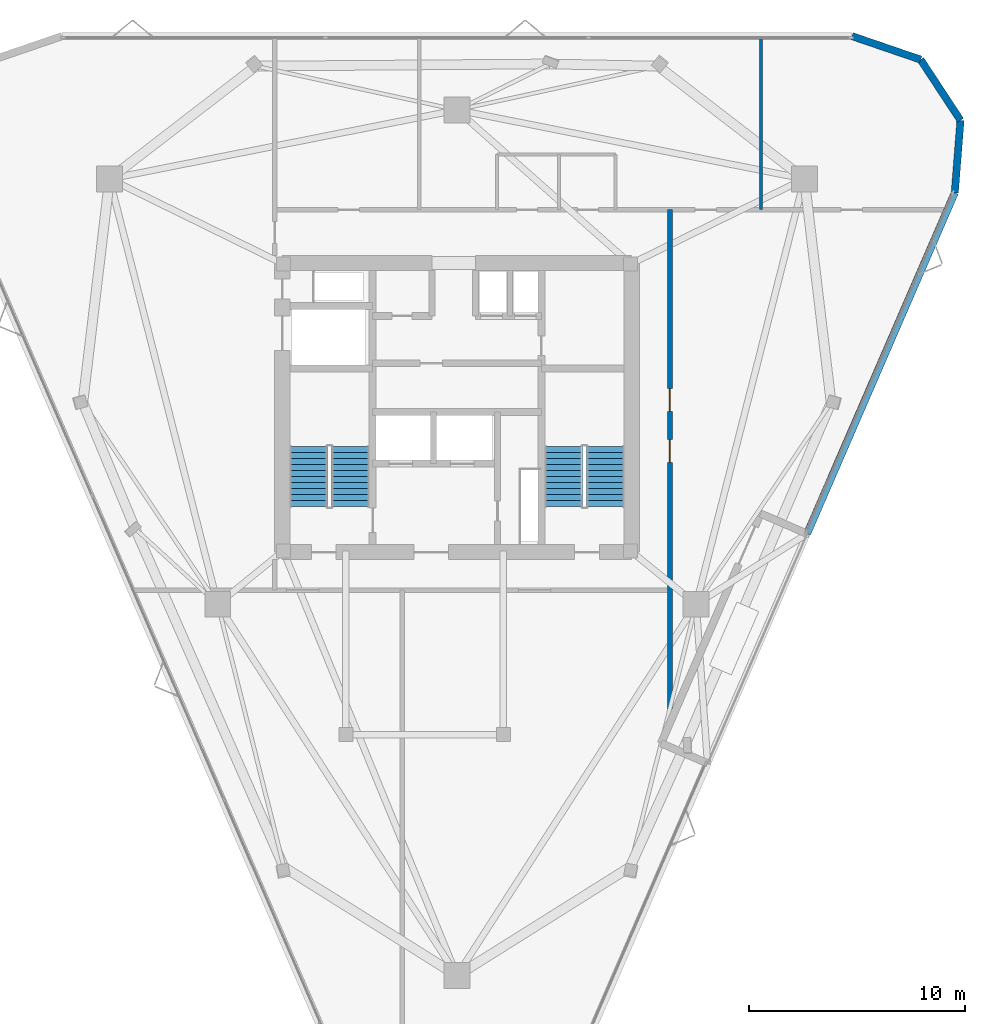
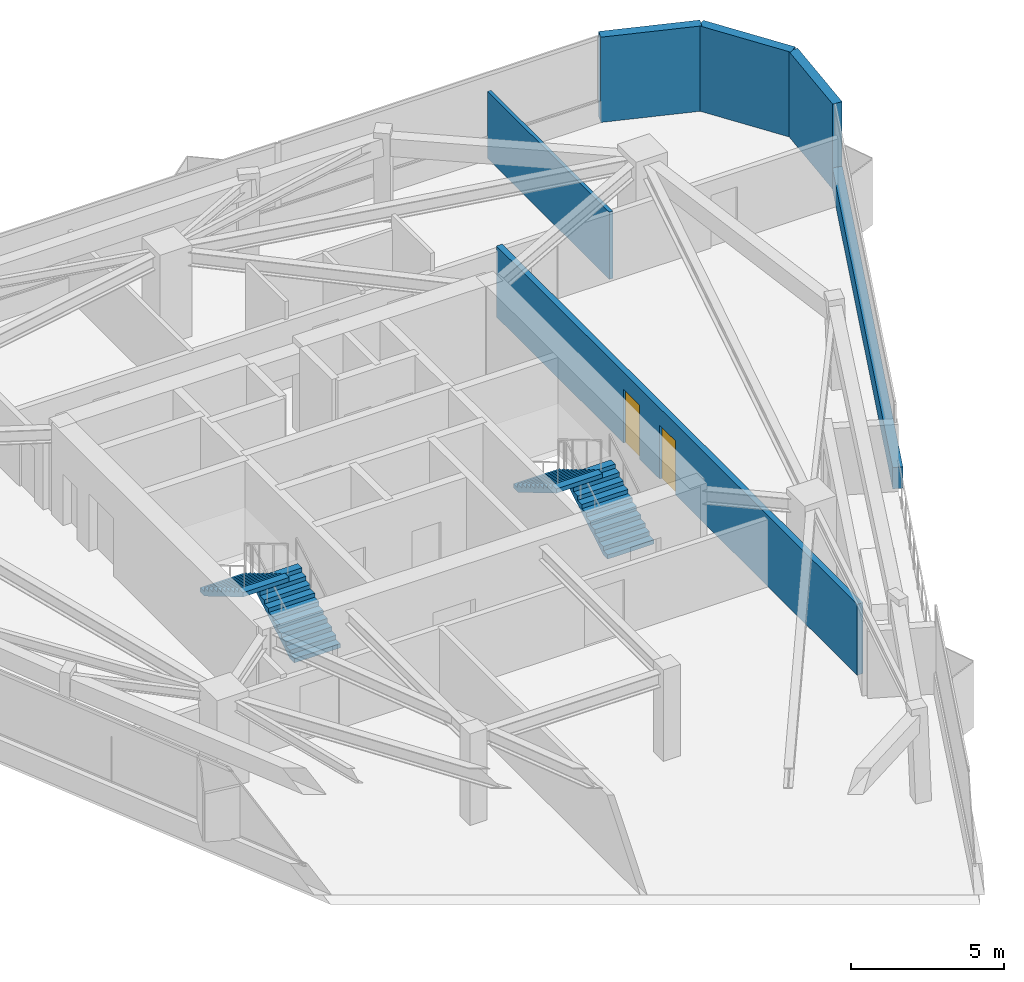
# One storey, part 9 of 10: 6 walls, 4 stair flights, 2 doors, 2 openings, 2 elements without a shape of their own.
"""IFC4 building model written with IfcOpenShell, lengths in metres."""

import ifcopenshell
import ifcopenshell.guid

model = None  # the IFC model being written
_history = None  # IfcOwnerHistory: only IFC2X3 demands one
_inside = {}  # id of a spatial element -> (the spatial element, [elements in it])
_under = {}  # id of a project, library or spatial element -> (it, [spatial elements below it])
_declared = {}  # id of a project -> (the project, [libraries it declares])
_typed = {}  # id of a type object -> (the type object, [elements of that type])
_made_of = {}  # id of a material, layer set ... -> (it, [elements and type objects made of it])


def new_model(schema):
    """Start an empty IFC model of exactly this schema.

    Asked for "IFC4X3", IfcOpenShell would pick the latest addendum, in which some entities
    have other attributes; the version numbers below select the first issue.
    IFC2X3 requires an IfcOwnerHistory on every rooted entity: one is made here for all.
    """
    global model, _history
    if schema == "IFC4X3":
        model = ifcopenshell.file(schema_version=(4, 3, 0, 0))
    else:
        model = ifcopenshell.file(schema=schema)
    _inside.clear()
    _under.clear()
    _declared.clear()
    _typed.clear()
    _made_of.clear()
    _history = None
    if model.schema == "IFC2X3":
        org = make("IfcOrganization", Name="unknown")
        user = make(
            "IfcPersonAndOrganization",
            ThePerson=make("IfcPerson", FamilyName="unknown"),
            TheOrganization=org,
        )
        app = make(
            "IfcApplication",
            ApplicationDeveloper=org,
            Version="unknown",
            ApplicationFullName="unknown",
            ApplicationIdentifier="unknown",
        )
        _history = make(
            "IfcOwnerHistory",
            OwningUser=user,
            OwningApplication=app,
            ChangeAction="ADDED",
            CreationDate=0,
        )
    return model


def make(cls, **values):
    """One entity of the class cls with the attributes given. An attribute that is None is left unset."""
    return model.create_entity(
        cls, **{name: value for name, value in values.items() if value is not None}
    )


def rooted(cls, **values):
    """An entity with a GlobalId (a new one), such as an element, a storey or a relation."""
    return make(cls, GlobalId=ifcopenshell.guid.new(), OwnerHistory=_history, **values)


def si_unit(unit_type, name, prefix=None):
    """IfcSIUnit, for example si_unit("LENGTHUNIT", "METRE", prefix="MILLI")."""
    return make("IfcSIUnit", UnitType=unit_type, Prefix=prefix, Name=name)


def assignment(units):
    """IfcUnitAssignment: the units of a project."""
    return None if units is None else make("IfcUnitAssignment", Units=units)


def point(xyz):
    """IfcCartesianPoint."""
    return None if xyz is None else make("IfcCartesianPoint", Coordinates=xyz)


def direction(xyz):
    """IfcDirection."""
    return None if xyz is None else make("IfcDirection", DirectionRatios=xyz)


def frame(location, z_axis=None, x_axis=None):
    """IfcAxis2Placement3D, a coordinate frame: its origin and axes. An axis left out is left unset."""
    return make(
        "IfcAxis2Placement3D",
        Location=point(location),
        Axis=direction(z_axis),
        RefDirection=direction(x_axis),
    )


def frame_2d(location, x_axis=None):
    """IfcAxis2Placement2D, a coordinate frame in the plane: its origin and x axis."""
    return make(
        "IfcAxis2Placement2D", Location=point(location), RefDirection=direction(x_axis)
    )


def origin():
    """The frame at (0, 0, 0) with its axes left unset."""
    return frame((0.0, 0.0, 0.0))


def place(relative_to, where):
    """IfcLocalPlacement: puts the frame where relative to a parent placement (None: the world)."""
    return make(
        "IfcLocalPlacement", PlacementRelTo=relative_to, RelativePlacement=where
    )


def context(
    kind, dimensions, precision=None, world=None, true_north=None, identifier=None
):
    """IfcGeometricRepresentationContext, for example the 3D "Model" context."""
    return make(
        "IfcGeometricRepresentationContext",
        ContextIdentifier=identifier,
        ContextType=kind,
        CoordinateSpaceDimension=dimensions,
        Precision=precision,
        WorldCoordinateSystem=world,
        TrueNorth=true_north,
    )


def subcontext(parent, identifier, kind, view, scale=None):
    """IfcGeometricRepresentationSubContext, for example "Body" below "Model"."""
    return make(
        "IfcGeometricRepresentationSubContext",
        ContextIdentifier=identifier,
        ContextType=kind,
        ParentContext=parent,
        TargetScale=scale,
        TargetView=view,
    )


def project(units=None, contexts=None):
    """IfcProject with its units and contexts."""
    return rooted(
        "IfcProject",
        Name="project",
        RepresentationContexts=contexts,
        UnitsInContext=assignment(units),
    )


def spatial(cls, under=None, at=None, **own):
    """A site, building, storey or space (cls), placed at a placement, below another one or the project."""
    s = rooted(cls, ObjectPlacement=at, **own)
    if under is not None:
        _under.setdefault(under.id(), (under, []))[1].append(s)
    return s


def polyline(points):
    """IfcPolyline through the points."""
    return make("IfcPolyline", Points=[point(p) for p in points])


def profile(cls, at=None, kind="AREA", **sizes):
    """A parametric profile (cls). Its sizes go by their IFC names, for example OverallWidth=200.0."""
    return make(cls, ProfileType=kind, Position=at, **sizes)


def rectangle(**sizes):
    """IfcRectangleProfileDef."""
    return profile("IfcRectangleProfileDef", **sizes)


def outline(outer, holes=None, kind="AREA"):
    """IfcArbitraryClosedProfileDef: a profile drawn as a closed curve; with holes, ...WithVoids."""
    if holes is None:
        return make("IfcArbitraryClosedProfileDef", ProfileType=kind, OuterCurve=outer)
    return make(
        "IfcArbitraryProfileDefWithVoids",
        ProfileType=kind,
        OuterCurve=outer,
        InnerCurves=holes,
    )


def extrude(swept, where, along, depth):
    """IfcExtrudedAreaSolid: the profile swept, set in the frame where, extruded along a direction by depth."""
    return make(
        "IfcExtrudedAreaSolid",
        SweptArea=swept,
        Position=where,
        ExtrudedDirection=direction(along),
        Depth=depth,
    )


def shape(context_of_items, identifier, shape_type, items):
    """IfcShapeRepresentation: the items that make up one representation, for example the "Body"."""
    return make(
        "IfcShapeRepresentation",
        ContextOfItems=context_of_items,
        RepresentationIdentifier=identifier,
        RepresentationType=shape_type,
        Items=items,
    )


def material(Name=None, Category=None):
    """IfcMaterial."""
    return make("IfcMaterial", Name=Name, Category=Category)


def layer(
    of_material, thickness, ventilated=None, Name=None, Category=None, Priority=None
):
    """IfcMaterialLayer: one layer of a wall or slab, of a material (None: an air gap)."""
    return make(
        "IfcMaterialLayer",
        Material=of_material,
        LayerThickness=thickness,
        IsVentilated=ventilated,
        Name=Name,
        Category=Category,
        Priority=Priority,
    )


def layer_set(layers, Name=None):
    """IfcMaterialLayerSet."""
    return make("IfcMaterialLayerSet", MaterialLayers=layers, LayerSetName=Name)


def made_of(thing, what):
    """Note that an element or type object is made of a material, layer set ...; save() writes the relation."""
    if what is not None:
        _made_of.setdefault(what.id(), (what, []))[1].append(thing)
    return thing


def type_object(cls, material=None, **own):
    """A type object (cls), such as IfcWallType, which elements share."""
    return made_of(rooted(cls, **own), material)


def element(
    cls,
    number,
    at=None,
    inside=None,
    cuts=None,
    type_object=None,
    material=None,
    context=None,
    identifier="Body",
    shape_type=None,
    held_by="IfcProductDefinitionShape",
    body=None,
    shapes=None,
    **own,
):
    """One element of the class cls, such as IfcWall. Its Tag is "e" and its number.

    at: its placement. inside: the storey or other place that contains it. cuts: it is an
    opening in that element (IfcRelVoidsElement). A single representation is given by context,
    identifier, shape_type and body (its items); several are given by shapes. held_by: the class
    of the entity that holds the representations. save() writes the other relations.
    """
    e = rooted(cls, Tag="e%d" % number, ObjectPlacement=at, **own)
    if body is not None:
        shapes = [shape(context, identifier, shape_type, body)]
    if shapes is not None:
        e.Representation = make(held_by, Representations=shapes)
    if inside is not None:
        _inside.setdefault(inside.id(), (inside, []))[1].append(e)
    if cuts is not None:
        rooted(
            "IfcRelVoidsElement", RelatingBuildingElement=cuts, RelatedOpeningElement=e
        )
    if type_object is not None:
        _typed.setdefault(type_object.id(), (type_object, []))[1].append(e)
    return made_of(e, material)


def fill(opening, filler):
    """IfcRelFillsElement: the door or window that sits in an opening."""
    return rooted(
        "IfcRelFillsElement",
        RelatingOpeningElement=opening,
        RelatedBuildingElement=filler,
    )


def aggregate(whole, parts):
    """IfcRelAggregates: a whole, such as a stair, and the parts it consists of."""
    return rooted("IfcRelAggregates", RelatingObject=whole, RelatedObjects=parts)


def save(model, path):
    """Write the relations noted so far, then the file.

    IfcRelAggregates (storeys below a building ...), IfcRelContainedInSpatialStructure (elements
    in a storey), IfcRelDefinesByType, IfcRelAssociatesMaterial and IfcRelDeclares: one each for
    every whole, place, type object, material and project.
    """
    for whole, parts in _under.values():
        aggregate(whole, parts)
    for where, things in _inside.values():
        rooted(
            "IfcRelContainedInSpatialStructure",
            RelatedElements=things,
            RelatingStructure=where,
        )
    for kind, things in _typed.values():
        rooted("IfcRelDefinesByType", RelatedObjects=things, RelatingType=kind)
    for what, things in _made_of.values():
        rooted("IfcRelAssociatesMaterial", RelatedObjects=things, RelatingMaterial=what)
    for by, libraries in _declared.values():
        rooted("IfcRelDeclares", RelatingContext=by, RelatedDefinitions=libraries)
    model.write(path)


model = new_model("IFC4")

# Units and contexts
model_context = context("Model", 3, precision=1e-05, world=origin(), true_north=direction((0.0, 1.0)))
body_context = subcontext(model_context, "Body", "Model", "MODEL_VIEW")
ifc_project = project(units=[si_unit("LENGTHUNIT", "METRE"), si_unit("AREAUNIT", "SQUARE_METRE"), si_unit("VOLUMEUNIT", "CUBIC_METRE"), si_unit("PLANEANGLEUNIT", "RADIAN"), si_unit("MASSUNIT", "GRAM", prefix="KILO")], contexts=[model_context])

# Site, building, storey
site_placement = place(None, origin())
site = spatial("IfcSite", under=ifc_project, at=site_placement, CompositionType="ELEMENT")
building_placement = place(site_placement, origin())
building = spatial("IfcBuilding", under=site, at=building_placement, Name="Talyreon Biosciences Tower", CompositionType="ELEMENT")
storey_placement = place(building_placement, frame((0.0, 0.0, 253.5)))
storey = spatial("IfcBuildingStorey", under=building, at=storey_placement, Name="L67", CompositionType="ELEMENT", Elevation=253.5)

# Wall, openings, doors
ifc_material_1 = material(Name="Gypsum fireboard acoustic stud", Category="gypsum")
ifc_layer_1 = layer(ifc_material_1, 0.219970703125)
ifc_layer_set_1 = layer_set([ifc_layer_1], Name="Gypsum fireboard acoustic stud")
wall_type_1 = type_object("IfcWallType", Name="CorridorRatedPartition_220", PredefinedType="PARTITIONING", material=ifc_layer_set_1)
wall_1_placement = place(storey_placement, frame((75.8701171875, 53.595458984375, 0.0), z_axis=(0.0, 0.0, 1.0), x_axis=(0.0, 1.0, 0.0)))
wall_1 = element("IfcWall", 1, at=wall_1_placement, inside=storey, type_object=wall_type_1, Name="L67 Interior Wall IW-L67-COR-E", PredefinedType="PARTITIONING", context=body_context, shape_type="SweptSolid", body=[
    extrude(rectangle(XDim=23.574462890625, YDim=0.219970703125, at=frame_2d((11.787109375, 0.0))), origin(), (0.0, 0.0, 1.0), 2.830078125),
])
opening_1_placement = place(wall_1_placement, frame((14.22998046875, 0.0, 0.0)))
opening_1 = element("IfcOpeningElement", 2, at=opening_1_placement, cuts=wall_1, Name="Opening DR-L67-E1A", PredefinedType="OPENING", context=body_context, shape_type="SweptSolid", body=[
    extrude(rectangle(XDim=1.050048828125, YDim=2.14990234375, at=frame_2d((0.52490234375, 1.074951171875))), frame((0.0, 0.119873046875, 0.0), z_axis=(0.0, -1.0, 0.0), x_axis=(1.0, 0.0, 0.0)), (0.0, 0.0, 1.0), 0.239990234375),
])
opening_2_placement = place(wall_1_placement, frame((11.866943359375, 0.0, 0.0)))
opening_2 = element("IfcOpeningElement", 3, at=opening_2_placement, cuts=wall_1, Name="Opening DR-L67-E1B", PredefinedType="OPENING", context=body_context, shape_type="SweptSolid", body=[
    extrude(rectangle(XDim=1.050048828125, YDim=2.14990234375, at=frame_2d((0.52490234375, 1.074951171875))), frame((0.0, 0.119873046875, 0.0), z_axis=(0.0, -1.0, 0.0), x_axis=(1.0, 0.0, 0.0)), (0.0, 0.0, 1.0), 0.239990234375),
])
ifc_material_2 = material(Name="Acoustic timber-core laboratory door", Category="wood")
door_type = type_object("IfcDoorType", Name="DryLabSingleDoor_1050x2150", OperationType="NOTDEFINED", PredefinedType="DOOR", material=ifc_material_2)
door_1_placement = place(opening_1_placement, origin())
door_1 = element("IfcDoor", 4, at=door_1_placement, inside=storey, type_object=door_type, Name="L67 Interior Door DR-L67-E1A", OperationType="SINGLE_SWING_LEFT", OverallHeight=2.14990234375, OverallWidth=1.050048828125, PredefinedType="DOOR", context=body_context, shape_type="SweptSolid", body=[
    extrude(rectangle(XDim=1.050048828125, YDim=2.14990234375, at=frame_2d((0.52490234375, 1.074951171875))), frame((0.0, 0.02490234375, 0.0), z_axis=(0.0, -1.0, 0.0), x_axis=(1.0, 0.0, 0.0)), (0.0, 0.0, 1.0), 0.050048828125),
])
fill(opening_1, door_1)
door_2_placement = place(opening_2_placement, origin())
door_2 = element("IfcDoor", 5, at=door_2_placement, inside=storey, type_object=door_type, Name="L67 Interior Door DR-L67-E1B", OperationType="SINGLE_SWING_RIGHT", OverallHeight=2.14990234375, OverallWidth=1.050048828125, PredefinedType="DOOR", context=body_context, shape_type="SweptSolid", body=[
    extrude(rectangle(XDim=1.050048828125, YDim=2.14990234375, at=frame_2d((0.52490234375, 1.074951171875))), frame((0.0, 0.02490234375, 0.0), z_axis=(0.0, -1.0, 0.0), x_axis=(1.0, 0.0, 0.0)), (0.0, 0.0, 1.0), 0.050048828125),
])
fill(opening_2, door_2)

# Walls
ifc_material_3 = material(Name="Gypsum acoustic stud partition", Category="gypsum")
ifc_layer_2 = layer(ifc_material_3, 0.1298828125)
ifc_layer_set_2 = layer_set([ifc_layer_2], Name="Gypsum acoustic stud partition")
wall_type_2 = type_object("IfcWallType", Name="OfficeWriteupPartition_130", PredefinedType="PARTITIONING", material=ifc_layer_set_2)
wall_2_placement = place(storey_placement, frame((80.0859375, 77.169921875, 0.0), z_axis=(0.0, 0.0, 1.0), x_axis=(0.0, 1.0, 0.0)))
element("IfcWall", 6, at=wall_2_placement, inside=storey, type_object=wall_type_2, Name="L67 Interior Wall IW-L67-NDIV2", PredefinedType="PARTITIONING", context=body_context, shape_type="SweptSolid", body=[
    extrude(rectangle(XDim=7.962890625, YDim=0.1298828125, at=frame_2d((3.9814453125, 0.0))), origin(), (0.0, 0.0, 1.0), 2.679931640625),
])
ifc_material_4 = material(Name="Precast concrete C45/55", Category="concrete")
ifc_layer_3 = layer(ifc_material_4, 0.340087890625)
ifc_layer_set_3 = layer_set([ifc_layer_3], Name="Precast concrete C45/55")
wall_type_3 = type_object("IfcWallType", Name="PrecastConcreteSpandrelWall_340", PredefinedType="STANDARD", material=ifc_layer_set_3)
wall_3_placement = place(storey_placement, frame((84.3037109375, 85.2177734375, 0.0), z_axis=(0.0, 0.0, 1.0), x_axis=(0.946072263845, -0.323955662989, 0.0)))
element("IfcWall", 7, at=wall_3_placement, inside=storey, type_object=wall_type_3, Name="L67 Rounded-Corner Concrete Pier 04", PredefinedType="STANDARD", context=body_context, shape_type="SweptSolid", body=[
    extrude(rectangle(XDim=3.369384765625, YDim=0.340087890625, at=frame_2d((1.6845703125, 0.0))), origin(), (0.0, 0.0, 1.0), 3.39990234375),
])
wall_4_placement = place(storey_placement, frame((87.491455078125, 84.126220703125, 0.0), z_axis=(0.0, 0.0, 1.0), x_axis=(0.548851092281, -0.835920138831, 0.0)))
element("IfcWall", 8, at=wall_4_placement, inside=storey, type_object=wall_type_3, Name="L67 Rounded-Corner Concrete Pier 05", PredefinedType="STANDARD", context=body_context, shape_type="SweptSolid", body=[
    extrude(rectangle(XDim=3.36962890625, YDim=0.340087890625, at=frame_2d((1.684814453125, 0.0))), origin(), (0.0, 0.0, 1.0), 3.39990234375),
])
wall_5_placement = place(storey_placement, frame((89.3408203125, 81.3095703125, 0.0), z_axis=(0.0, 0.0, 1.0), x_axis=(-0.078835134627, -0.996887667467, 0.0)))
element("IfcWall", 9, at=wall_5_placement, inside=storey, type_object=wall_type_3, Name="L67 Rounded-Corner Concrete Pier 06", PredefinedType="STANDARD", context=body_context, shape_type="SweptSolid", body=[
    extrude(rectangle(XDim=3.369384765625, YDim=0.340087890625, at=frame_2d((1.6845703125, 0.0))), origin(), (0.0, 0.0, 1.0), 3.39990234375),
])
wall_6_placement = place(storey_placement, frame((89.0751953125, 77.95068359375, 0.0), z_axis=(0.0, 0.0, 1.0), x_axis=(-0.397531449249, -0.917588549873, 0.0)))
element("IfcWall", 10, at=wall_6_placement, inside=storey, type_object=wall_type_3, Name="L67 Expressed Concrete Sill Wall 07", PredefinedType="STANDARD", context=body_context, shape_type="SweptSolid", body=[
    extrude(rectangle(XDim=17.2216796875, YDim=0.340087890625, at=frame_2d((8.61083984375, 0.0))), origin(), (0.0, 0.0, 1.0), 0.85009765625),
])

# Stair, stair flights
ifc_material_5 = material(Name="Concrete C40/50", Category="concrete")
stair_type = type_object("IfcStairType", Name="DoglegEscapeStair_3650", PredefinedType="HALF_TURN_STAIR", material=ifc_material_5)
stair_1_placement = place(storey_placement, origin())
stair_1 = element("IfcStair", 11, at=stair_1_placement, inside=storey, type_object=stair_type, Name="L67 Core Escape Stair 1", PredefinedType="HALF_TURN_STAIR")
stair_flight_type = type_object("IfcStairFlightType", Name="PrecastStairFlight_3650", PredefinedType="STRAIGHT", material=ifc_material_5)
stair_flight_1_placement = place(storey_placement, frame((61.06005859375, 63.39990234375, 0.0), z_axis=(0.0, 0.0, 1.0), x_axis=(0.0, 1.0, 0.0)))
stair_flight_1 = element("IfcStairFlight", 12, at=stair_flight_1_placement, type_object=stair_flight_type, Name="ST-1 flight 1", NumberOfRisers=11, NumberOfTreads=10, PredefinedType="STRAIGHT", RiserHeight=0.165909091, TreadLength=0.28, context=body_context, shape_type="SweptSolid", body=[
    extrude(outline(polyline([(0.0, 0.0), (0.0, 0.166015625), (0.280029296875, 0.166015625), (0.280029296875, 0.331787109375), (0.56005859375, 0.331787109375), (0.56005859375, 0.497802734375), (0.840087890625, 0.497802734375), (0.840087890625, 0.66357421875), (1.1201171875, 0.66357421875), (1.1201171875, 0.82958984375), (1.39990234375, 0.82958984375), (1.39990234375, 0.995361328125), (1.679931640625, 0.995361328125), (1.679931640625, 1.161376953125), (1.9599609375, 1.161376953125), (1.9599609375, 1.327392578125), (2.239990234375, 1.327392578125), (2.239990234375, 1.4931640625), (2.52001953125, 1.4931640625), (2.52001953125, 1.6591796875), (2.800048828125, 1.6591796875), (2.800048828125, 1.824951171875), (2.800048828125, 1.48486328125), (0.2939453125, 0.0), (0.0, 0.0)])), frame((0.0, 0.8701171875, 0.0), z_axis=(0.0, -1.0, 0.0), x_axis=(1.0, 0.0, 0.0)), (0.0, 0.0, 1.0), 1.739990234375),
])
stair_flight_2_placement = place(storey_placement, frame((59.1201171875, 66.199951171875, 1.824951171875), z_axis=(0.0, 0.0, 1.0), x_axis=(0.0, -1.0, 0.0)))
stair_flight_2 = element("IfcStairFlight", 13, at=stair_flight_2_placement, type_object=stair_flight_type, Name="ST-1 flight 2", NumberOfRisers=11, NumberOfTreads=10, PredefinedType="STRAIGHT", RiserHeight=0.165909091, TreadLength=0.28, context=body_context, shape_type="SweptSolid", body=[
    extrude(outline(polyline([(0.0, 0.0), (0.0, 0.166015625), (0.280029296875, 0.166015625), (0.280029296875, 0.331787109375), (0.56005859375, 0.331787109375), (0.56005859375, 0.497802734375), (0.840087890625, 0.497802734375), (0.840087890625, 0.66357421875), (1.1201171875, 0.66357421875), (1.1201171875, 0.82958984375), (1.39990234375, 0.82958984375), (1.39990234375, 0.995361328125), (1.679931640625, 0.995361328125), (1.679931640625, 1.161376953125), (1.9599609375, 1.161376953125), (1.9599609375, 1.327392578125), (2.239990234375, 1.327392578125), (2.239990234375, 1.4931640625), (2.52001953125, 1.4931640625), (2.52001953125, 1.6591796875), (2.800048828125, 1.6591796875), (2.800048828125, 1.824951171875), (2.800048828125, 1.48486328125), (0.2939453125, 0.0), (0.0, 0.0)])), frame((0.0, 0.8701171875, 0.0), z_axis=(0.0, -1.0, 0.0), x_axis=(1.0, 0.0, 0.0)), (0.0, 0.0, 1.0), 1.739990234375),
])
aggregate(stair_1, [stair_flight_1, stair_flight_2])

stair_2_placement = place(storey_placement, origin())
stair_2 = element("IfcStair", 14, at=stair_2_placement, inside=storey, type_object=stair_type, Name="L67 Core Escape Stair 2", PredefinedType="HALF_TURN_STAIR")
stair_flight_3_placement = place(storey_placement, frame((72.8798828125, 63.39990234375, 0.0), z_axis=(0.0, 0.0, 1.0), x_axis=(0.0, 1.0, 0.0)))
stair_flight_3 = element("IfcStairFlight", 15, at=stair_flight_3_placement, type_object=stair_flight_type, Name="ST-2 flight 1", NumberOfRisers=11, NumberOfTreads=10, PredefinedType="STRAIGHT", RiserHeight=0.165909091, TreadLength=0.28, context=body_context, shape_type="SweptSolid", body=[
    extrude(outline(polyline([(0.0, 0.0), (0.0, 0.166015625), (0.280029296875, 0.166015625), (0.280029296875, 0.331787109375), (0.56005859375, 0.331787109375), (0.56005859375, 0.497802734375), (0.840087890625, 0.497802734375), (0.840087890625, 0.66357421875), (1.1201171875, 0.66357421875), (1.1201171875, 0.82958984375), (1.39990234375, 0.82958984375), (1.39990234375, 0.995361328125), (1.679931640625, 0.995361328125), (1.679931640625, 1.161376953125), (1.9599609375, 1.161376953125), (1.9599609375, 1.327392578125), (2.239990234375, 1.327392578125), (2.239990234375, 1.4931640625), (2.52001953125, 1.4931640625), (2.52001953125, 1.6591796875), (2.800048828125, 1.6591796875), (2.800048828125, 1.824951171875), (2.800048828125, 1.48486328125), (0.2939453125, 0.0), (0.0, 0.0)])), frame((0.0, 0.8701171875, 0.0), z_axis=(0.0, -1.0, 0.0), x_axis=(1.0, 0.0, 0.0)), (0.0, 0.0, 1.0), 1.739990234375),
])
stair_flight_4_placement = place(storey_placement, frame((70.93994140625, 66.199951171875, 1.824951171875), z_axis=(0.0, 0.0, 1.0), x_axis=(0.0, -1.0, 0.0)))
stair_flight_4 = element("IfcStairFlight", 16, at=stair_flight_4_placement, type_object=stair_flight_type, Name="ST-2 flight 2", NumberOfRisers=11, NumberOfTreads=10, PredefinedType="STRAIGHT", RiserHeight=0.165909091, TreadLength=0.28, context=body_context, shape_type="SweptSolid", body=[
    extrude(outline(polyline([(0.0, 0.0), (0.0, 0.166015625), (0.280029296875, 0.166015625), (0.280029296875, 0.331787109375), (0.56005859375, 0.331787109375), (0.56005859375, 0.497802734375), (0.840087890625, 0.497802734375), (0.840087890625, 0.66357421875), (1.1201171875, 0.66357421875), (1.1201171875, 0.82958984375), (1.39990234375, 0.82958984375), (1.39990234375, 0.995361328125), (1.679931640625, 0.995361328125), (1.679931640625, 1.161376953125), (1.9599609375, 1.161376953125), (1.9599609375, 1.327392578125), (2.239990234375, 1.327392578125), (2.239990234375, 1.4931640625), (2.52001953125, 1.4931640625), (2.52001953125, 1.6591796875), (2.800048828125, 1.6591796875), (2.800048828125, 1.824951171875), (2.800048828125, 1.48486328125), (0.2939453125, 0.0), (0.0, 0.0)])), frame((0.0, 0.8701171875, 0.0), z_axis=(0.0, -1.0, 0.0), x_axis=(1.0, 0.0, 0.0)), (0.0, 0.0, 1.0), 1.739990234375),
])
aggregate(stair_2, [stair_flight_3, stair_flight_4])

save(model, "model.ifc")
